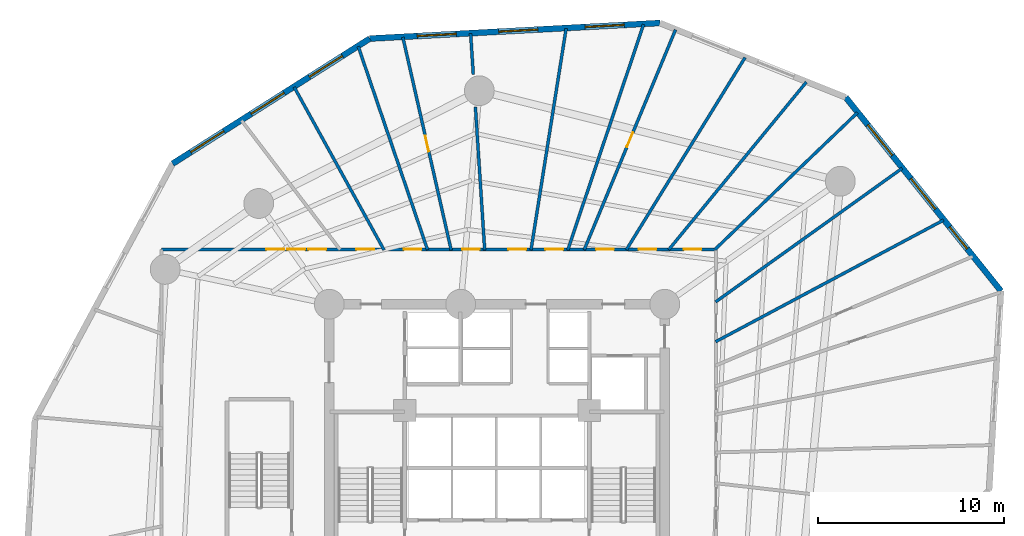
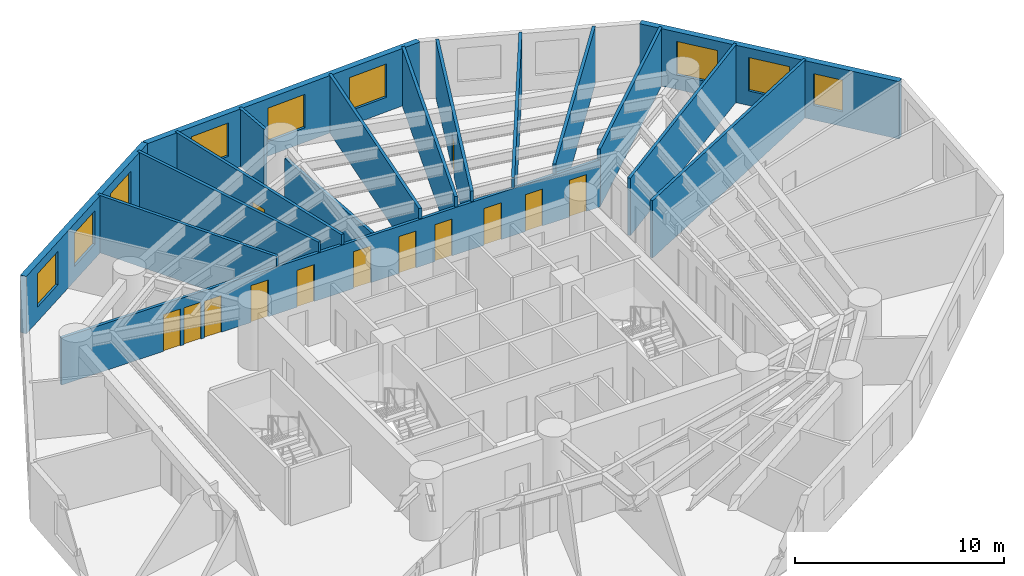
# One storey, part 6 of 8: 17 walls, 13 doors, 9 windows, 22 openings.
"""IFC4 building model written with IfcOpenShell, lengths in metres."""

from ifc_helpers import new_model, si_unit, direction, frame, frame_2d, origin, origin_with_axes, place, context, subcontext, project, spatial, rectangle, extrude, source, transform, mapped, material, layer, layer_set, type_object, element, fill, save


model = new_model("IFC4")

# Units and contexts
model_context = context("Model", 3, precision=1e-05, world=origin(), true_north=direction((0.0, 1.0)))
body_context = subcontext(model_context, "Body", "Model", "MODEL_VIEW")
ifc_project = project(units=[si_unit("LENGTHUNIT", "METRE"), si_unit("AREAUNIT", "SQUARE_METRE"), si_unit("VOLUMEUNIT", "CUBIC_METRE"), si_unit("PLANEANGLEUNIT", "RADIAN"), si_unit("MASSUNIT", "GRAM", prefix="KILO")], contexts=[model_context])

# Site, building, storey
site_placement = place(None, origin())
site = spatial("IfcSite", under=ifc_project, at=site_placement, CompositionType="ELEMENT")
building_placement = place(site_placement, origin())
building = spatial("IfcBuilding", under=site, at=building_placement, Name="Karkom Vertical University and Central Library", CompositionType="ELEMENT")
storey_placement = place(building_placement, frame((0.0, 0.0, 37.300048828125)))
storey = spatial("IfcBuildingStorey", under=building, at=storey_placement, Name="L09", CompositionType="ELEMENT", Elevation=37.300048828125)

# Wall, openings, windows
ifc_material_1 = material(Name="Brick-faced precast concrete C45/55", Category="masonry")
ifc_layer_1 = layer(ifc_material_1, 0.320068359375)
ifc_layer_set_1 = layer_set([ifc_layer_1], Name="Brick-faced precast concrete C45/55")
wall_type_1 = type_object("IfcWallType", Name="ENV-WL-BRK-320", PredefinedType="SOLIDWALL", material=ifc_layer_set_1)
wall_1_placement = place(storey_placement, frame((21.670166015625, 48.9541015625, 0.0), z_axis=(0.0, 0.0, 1.0), x_axis=(-0.844327555448, -0.535827378091, 0.0)))
wall_1 = element("IfcWall", 1, at=wall_1_placement, inside=storey, type_object=wall_type_1, Name="Level 09 Brick-Faced Precast Facade Wall 01", PredefinedType="SOLIDWALL", context=body_context, shape_type="SweptSolid", body=[
    extrude(rectangle(XDim=12.52978515625, YDim=0.320068359375, at=frame_2d((6.264892578125, 0.0))), origin(), (0.0, 0.0, 1.0), 3.349853515625),
])
opening_1_placement = place(wall_1_placement, frame((1.7373046875, 0.0, 0.85009765625)))
opening_1 = element("IfcOpeningElement", 2, at=opening_1_placement, cuts=wall_1, Name="Opening WN-03", PredefinedType="OPENING", context=body_context, shape_type="SweptSolid", body=[
    extrude(rectangle(XDim=2.10009765625, YDim=1.949951171875, at=frame_2d((1.050048828125, 0.97509765625))), frame((0.0, 0.169921875, 0.0), z_axis=(0.0, -1.0, 0.0), x_axis=(1.0, 0.0, 0.0)), (0.0, 0.0, 1.0), 0.340087890625),
])
opening_2_placement = place(wall_1_placement, frame((5.440185546875, 0.0, 0.85009765625)))
opening_2 = element("IfcOpeningElement", 3, at=opening_2_placement, cuts=wall_1, Name="Opening WN-03", PredefinedType="OPENING", context=body_context, shape_type="SweptSolid", body=[
    extrude(rectangle(XDim=2.10009765625, YDim=1.949951171875, at=frame_2d((1.050048828125, 0.97509765625))), frame((0.0, 0.169921875, 0.0), z_axis=(0.0, -1.0, 0.0), x_axis=(1.0, 0.0, 0.0)), (0.0, 0.0, 1.0), 0.340087890625),
])
opening_3_placement = place(wall_1_placement, frame((9.265380859375, 0.0, 0.85009765625)))
opening_3 = element("IfcOpeningElement", 4, at=opening_3_placement, cuts=wall_1, Name="Opening WN-03", PredefinedType="OPENING", context=body_context, shape_type="SweptSolid", body=[
    extrude(rectangle(XDim=2.10009765625, YDim=1.949951171875, at=frame_2d((1.050048828125, 0.97509765625))), frame((0.0, 0.169921875, 0.0), z_axis=(0.0, -1.0, 0.0), x_axis=(1.0, 0.0, 0.0)), (0.0, 0.0, 1.0), 0.340087890625),
])
ifc_material_2 = material(Name="Aluminium thermal-break frame with solar-control IGU", Category="aluminium")
window_type_1 = type_object("IfcWindowType", Name="ENV-WIN-WN-03", PartitioningType="SINGLE_PANEL", PredefinedType="WINDOW", material=ifc_material_2)
shared_shape_1 = source(origin_with_axes(), body_context, "Body", "SweptSolid", [
    extrude(rectangle(XDim=2.10009765625, YDim=1.949951171875, at=frame_2d((1.050048828125, 0.97509765625))), frame((0.0, 0.030029296875, 0.0), z_axis=(0.0, -1.0, 0.0), x_axis=(1.0, 0.0, 0.0)), (0.0, 0.0, 1.0), 0.06005859375),
])
window_1_placement = place(opening_1_placement, origin())
window_1 = element("IfcWindow", 5, at=window_1_placement, inside=storey, type_object=window_type_1, Name="Level 09 Punched Window 1.1", OverallHeight=1.949951171875, OverallWidth=2.10009765625, PartitioningType="SINGLE_PANEL", PredefinedType="WINDOW", context=body_context, shape_type="MappedRepresentation", body=[
    mapped(shared_shape_1, transform((0.0, 0.0, 0.0), scale=1.0)),
])
fill(opening_1, window_1)
window_2_placement = place(opening_2_placement, origin())
window_2 = element("IfcWindow", 6, at=window_2_placement, inside=storey, type_object=window_type_1, Name="Level 09 Punched Window 1.2", OverallHeight=1.949951171875, OverallWidth=2.10009765625, PartitioningType="SINGLE_PANEL", PredefinedType="WINDOW", context=body_context, shape_type="MappedRepresentation", body=[
    mapped(shared_shape_1, transform((0.0, 0.0, 0.0), scale=1.0)),
])
fill(opening_2, window_2)
window_3_placement = place(opening_3_placement, origin())
window_3 = element("IfcWindow", 7, at=window_3_placement, inside=storey, type_object=window_type_1, Name="Level 09 Punched Window 1.3", OverallHeight=1.949951171875, OverallWidth=2.10009765625, PartitioningType="SINGLE_PANEL", PredefinedType="WINDOW", context=body_context, shape_type="MappedRepresentation", body=[
    mapped(shared_shape_1, transform((0.0, 0.0, 0.0), scale=1.0)),
])
fill(opening_3, window_3)

wall_2_placement = place(storey_placement, frame((55.541015625, 35.409912109375, 0.0), z_axis=(0.0, 0.0, 1.0), x_axis=(-0.625441093847, 0.780271387485, 0.0)))
wall_2 = element("IfcWall", 8, at=wall_2_placement, inside=storey, type_object=wall_type_1, Name="Level 09 Brick-Faced Precast Facade Wall 10", PredefinedType="SOLIDWALL", context=body_context, shape_type="SweptSolid", body=[
    extrude(rectangle(XDim=13.32421875, YDim=0.320068359375, at=frame_2d((6.662109375, 0.0))), origin(), (0.0, 0.0, 1.0), 3.349853515625),
])
opening_4_placement = place(wall_2_placement, frame((2.903076171875, 0.0, 0.85009765625)))
opening_4 = element("IfcOpeningElement", 9, at=opening_4_placement, cuts=wall_2, Name="Opening WN-05", PredefinedType="OPENING", context=body_context, shape_type="SweptSolid", body=[
    extrude(rectangle(XDim=1.5, YDim=1.85009765625, at=frame_2d((0.75, 0.925048828125))), frame((0.0, 0.169921875, 0.0), z_axis=(0.0, -1.0, 0.0), x_axis=(1.0, 0.0, 0.0)), (0.0, 0.0, 1.0), 0.340087890625),
])
opening_5_placement = place(wall_2_placement, frame((5.630126953125, 0.0, 0.85009765625)))
opening_5 = element("IfcOpeningElement", 10, at=opening_5_placement, cuts=wall_2, Name="Opening WN-03", PredefinedType="OPENING", context=body_context, shape_type="SweptSolid", body=[
    extrude(rectangle(XDim=2.10009765625, YDim=1.949951171875, at=frame_2d((1.050048828125, 0.97509765625))), frame((0.0, 0.169921875, 0.0), z_axis=(0.0, -1.0, 0.0), x_axis=(1.0, 0.0, 0.0)), (0.0, 0.0, 1.0), 0.340087890625),
])
opening_6_placement = place(wall_2_placement, frame((9.3193359375, 0.0, 0.85009765625)))
opening_6 = element("IfcOpeningElement", 11, at=opening_6_placement, cuts=wall_2, Name="Opening WN-03", PredefinedType="OPENING", context=body_context, shape_type="SweptSolid", body=[
    extrude(rectangle(XDim=2.10009765625, YDim=1.949951171875, at=frame_2d((1.050048828125, 0.97509765625))), frame((0.0, 0.169921875, 0.0), z_axis=(0.0, -1.0, 0.0), x_axis=(1.0, 0.0, 0.0)), (0.0, 0.0, 1.0), 0.340087890625),
])
window_4_placement = place(opening_5_placement, origin())
window_4 = element("IfcWindow", 12, at=window_4_placement, inside=storey, type_object=window_type_1, Name="Level 09 Punched Window 10.2", OverallHeight=1.949951171875, OverallWidth=2.10009765625, PartitioningType="SINGLE_PANEL", PredefinedType="WINDOW", context=body_context, shape_type="MappedRepresentation", body=[
    mapped(shared_shape_1, transform((0.0, 0.0, 0.0), scale=1.0)),
])
fill(opening_5, window_4)
window_5_placement = place(opening_6_placement, origin())
window_5 = element("IfcWindow", 13, at=window_5_placement, inside=storey, type_object=window_type_1, Name="Level 09 Punched Window 10.3", OverallHeight=1.949951171875, OverallWidth=2.10009765625, PartitioningType="SINGLE_PANEL", PredefinedType="WINDOW", context=body_context, shape_type="MappedRepresentation", body=[
    mapped(shared_shape_1, transform((0.0, 0.0, 0.0), scale=1.0)),
])
fill(opening_6, window_5)
window_type_2 = type_object("IfcWindowType", Name="ENV-WIN-WN-05", PartitioningType="SINGLE_PANEL", PredefinedType="WINDOW", material=ifc_material_2)
shared_shape_2 = source(origin_with_axes(), body_context, "Body", "SweptSolid", [
    extrude(rectangle(XDim=1.5, YDim=1.85009765625, at=frame_2d((0.75, 0.925048828125))), frame((0.0, 0.030029296875, 0.0), z_axis=(0.0, -1.0, 0.0), x_axis=(1.0, 0.0, 0.0)), (0.0, 0.0, 1.0), 0.06005859375),
])
window_6_placement = place(opening_4_placement, origin())
window_6 = element("IfcWindow", 14, at=window_6_placement, inside=storey, type_object=window_type_2, Name="Level 09 Punched Window 10.1", OverallHeight=1.85009765625, OverallWidth=1.5, PartitioningType="SINGLE_PANEL", PredefinedType="WINDOW", context=body_context, shape_type="MappedRepresentation", body=[
    mapped(shared_shape_2, transform((0.0, 0.0, 0.0), scale=1.0)),
])
fill(opening_4, window_6)

wall_3_placement = place(storey_placement, frame((37.242919921875, 49.791015625, 0.0), z_axis=(0.0, 0.0, 1.0), x_axis=(-0.998559008623, -0.053664758435, 0.0)))
wall_3 = element("IfcWall", 15, at=wall_3_placement, inside=storey, type_object=wall_type_1, Name="Level 09 Brick-Faced Precast Facade Wall 12", PredefinedType="SOLIDWALL", context=body_context, shape_type="SweptSolid", body=[
    extrude(rectangle(XDim=15.59521484375, YDim=0.320068359375, at=frame_2d((7.797607421875, 0.0))), origin(), (0.0, 0.0, 1.0), 3.349853515625),
])
opening_7_placement = place(wall_3_placement, frame((1.923095703125, 0.0, 0.85009765625)))
opening_7 = element("IfcOpeningElement", 16, at=opening_7_placement, cuts=wall_3, Name="Opening WN-03", PredefinedType="OPENING", context=body_context, shape_type="SweptSolid", body=[
    extrude(rectangle(XDim=2.10009765625, YDim=1.949951171875, at=frame_2d((1.050048828125, 0.97509765625))), frame((0.0, 0.169921875, 0.0), z_axis=(0.0, -1.0, 0.0), x_axis=(1.0, 0.0, 0.0)), (0.0, 0.0, 1.0), 0.340087890625),
])
opening_8_placement = place(wall_3_placement, frame((6.5625, 0.0, 0.85009765625)))
opening_8 = element("IfcOpeningElement", 17, at=opening_8_placement, cuts=wall_3, Name="Opening WN-03", PredefinedType="OPENING", context=body_context, shape_type="SweptSolid", body=[
    extrude(rectangle(XDim=2.10009765625, YDim=1.949951171875, at=frame_2d((1.050048828125, 0.97509765625))), frame((0.0, 0.169921875, 0.0), z_axis=(0.0, -1.0, 0.0), x_axis=(1.0, 0.0, 0.0)), (0.0, 0.0, 1.0), 0.340087890625),
])
opening_9_placement = place(wall_3_placement, frame((10.9423828125, 0.0, 0.85009765625)))
opening_9 = element("IfcOpeningElement", 18, at=opening_9_placement, cuts=wall_3, Name="Opening WN-03", PredefinedType="OPENING", context=body_context, shape_type="SweptSolid", body=[
    extrude(rectangle(XDim=2.10009765625, YDim=1.949951171875, at=frame_2d((1.050048828125, 0.97509765625))), frame((0.0, 0.169921875, 0.0), z_axis=(0.0, -1.0, 0.0), x_axis=(1.0, 0.0, 0.0)), (0.0, 0.0, 1.0), 0.340087890625),
])
window_7_placement = place(opening_7_placement, origin())
window_7 = element("IfcWindow", 19, at=window_7_placement, inside=storey, type_object=window_type_1, Name="Level 09 Punched Window 12.1", OverallHeight=1.949951171875, OverallWidth=2.10009765625, PartitioningType="SINGLE_PANEL", PredefinedType="WINDOW", context=body_context, shape_type="MappedRepresentation", body=[
    mapped(shared_shape_1, transform((0.0, 0.0, 0.0), scale=1.0)),
])
fill(opening_7, window_7)
window_8_placement = place(opening_8_placement, origin())
window_8 = element("IfcWindow", 20, at=window_8_placement, inside=storey, type_object=window_type_1, Name="Level 09 Punched Window 12.2", OverallHeight=1.949951171875, OverallWidth=2.10009765625, PartitioningType="SINGLE_PANEL", PredefinedType="WINDOW", context=body_context, shape_type="MappedRepresentation", body=[
    mapped(shared_shape_1, transform((0.0, 0.0, 0.0), scale=1.0)),
])
fill(opening_8, window_8)
window_9_placement = place(opening_9_placement, origin())
window_9 = element("IfcWindow", 21, at=window_9_placement, inside=storey, type_object=window_type_1, Name="Level 09 Punched Window 12.3", OverallHeight=1.949951171875, OverallWidth=2.10009765625, PartitioningType="SINGLE_PANEL", PredefinedType="WINDOW", context=body_context, shape_type="MappedRepresentation", body=[
    mapped(shared_shape_1, transform((0.0, 0.0, 0.0), scale=1.0)),
])
fill(opening_9, window_9)

# Wall, openings, doors
ifc_material_3 = material(Name="Insulated metal-stud drywall 160mm", Category="gypsum")
ifc_layer_2 = layer(ifc_material_3, 0.159912109375)
ifc_layer_set_2 = layer_set([ifc_layer_2], Name="Insulated metal-stud drywall 160mm")
wall_type_2 = type_object("IfcWallType", Name="INT-WL-COR-160", PredefinedType="PARTITIONING", material=ifc_layer_set_2)
wall_4_placement = place(storey_placement, frame((10.5, 37.64990234375, 0.0), z_axis=(0.0, 0.0, 1.0), x_axis=(1.0, 0.0, 0.0)))
wall_4 = element("IfcWall", 22, at=wall_4_placement, inside=storey, type_object=wall_type_2, Name="Level 09 Interior Partition Wall Level 09-CORW-CW-003", PredefinedType="PARTITIONING", context=body_context, shape_type="SweptSolid", body=[
    extrude(rectangle(XDim=29.75, YDim=0.159912109375, at=frame_2d((14.875, 0.0))), origin(), (0.0, 0.0, 1.0), 2.75),
])
opening_10_placement = place(wall_4_placement, frame((28.020263671875, 0.0, 0.0)))
opening_10 = element("IfcOpeningElement", 23, at=opening_10_placement, cuts=wall_4, Name="Opening D-RM1", PredefinedType="OPENING", context=body_context, shape_type="SweptSolid", body=[
    extrude(rectangle(XDim=0.949951171875, YDim=2.14990234375, at=frame_2d((0.47509765625, 1.074951171875))), frame((0.0, 0.08984375, 0.0), z_axis=(0.0, -1.0, 0.0), x_axis=(1.0, 0.0, 0.0)), (0.0, 0.0, 1.0), 0.179931640625),
])
opening_11_placement = place(wall_4_placement, frame((25.59912109375, 0.0, 0.0)))
opening_11 = element("IfcOpeningElement", 24, at=opening_11_placement, cuts=wall_4, Name="Opening D-RM1", PredefinedType="OPENING", context=body_context, shape_type="SweptSolid", body=[
    extrude(rectangle(XDim=0.949951171875, YDim=2.14990234375, at=frame_2d((0.47509765625, 1.074951171875))), frame((0.0, 0.08984375, 0.0), z_axis=(0.0, -1.0, 0.0), x_axis=(1.0, 0.0, 0.0)), (0.0, 0.0, 1.0), 0.179931640625),
])
opening_12_placement = place(wall_4_placement, frame((23.31884765625, 0.0, 0.0)))
opening_12 = element("IfcOpeningElement", 25, at=opening_12_placement, cuts=wall_4, Name="Opening D-RM1", PredefinedType="OPENING", context=body_context, shape_type="SweptSolid", body=[
    extrude(rectangle(XDim=0.949951171875, YDim=2.14990234375, at=frame_2d((0.47509765625, 1.074951171875))), frame((0.0, 0.08984375, 0.0), z_axis=(0.0, -1.0, 0.0), x_axis=(1.0, 0.0, 0.0)), (0.0, 0.0, 1.0), 0.179931640625),
])
opening_13_placement = place(wall_4_placement, frame((20.597412109375, 0.0, 0.0)))
opening_13 = element("IfcOpeningElement", 26, at=opening_13_placement, cuts=wall_4, Name="Opening D-RM1", PredefinedType="OPENING", context=body_context, shape_type="SweptSolid", body=[
    extrude(rectangle(XDim=0.949951171875, YDim=2.14990234375, at=frame_2d((0.47509765625, 1.074951171875))), frame((0.0, 0.08984375, 0.0), z_axis=(0.0, -1.0, 0.0), x_axis=(1.0, 0.0, 0.0)), (0.0, 0.0, 1.0), 0.179931640625),
])
opening_14_placement = place(wall_4_placement, frame((18.611083984375, 0.0, 0.0)))
opening_14 = element("IfcOpeningElement", 27, at=opening_14_placement, cuts=wall_4, Name="Opening D-RM1", PredefinedType="OPENING", context=body_context, shape_type="SweptSolid", body=[
    extrude(rectangle(XDim=0.949951171875, YDim=2.14990234375, at=frame_2d((0.47509765625, 1.074951171875))), frame((0.0, 0.08984375, 0.0), z_axis=(0.0, -1.0, 0.0), x_axis=(1.0, 0.0, 0.0)), (0.0, 0.0, 1.0), 0.179931640625),
])
opening_15_placement = place(wall_4_placement, frame((16.12255859375, 0.0, 0.0)))
opening_15 = element("IfcOpeningElement", 28, at=opening_15_placement, cuts=wall_4, Name="Opening D-RM1", PredefinedType="OPENING", context=body_context, shape_type="SweptSolid", body=[
    extrude(rectangle(XDim=0.949951171875, YDim=2.14990234375, at=frame_2d((0.47509765625, 1.074951171875))), frame((0.0, 0.08984375, 0.0), z_axis=(0.0, -1.0, 0.0), x_axis=(1.0, 0.0, 0.0)), (0.0, 0.0, 1.0), 0.179931640625),
])
opening_16_placement = place(wall_4_placement, frame((12.99609375, 0.0, 0.0)))
opening_16 = element("IfcOpeningElement", 29, at=opening_16_placement, cuts=wall_4, Name="Opening D-RM1", PredefinedType="OPENING", context=body_context, shape_type="SweptSolid", body=[
    extrude(rectangle(XDim=0.949951171875, YDim=2.14990234375, at=frame_2d((0.47509765625, 1.074951171875))), frame((0.0, 0.08984375, 0.0), z_axis=(0.0, -1.0, 0.0), x_axis=(1.0, 0.0, 0.0)), (0.0, 0.0, 1.0), 0.179931640625),
])
opening_17_placement = place(wall_4_placement, frame((10.4599609375, 0.0, 0.0)))
opening_17 = element("IfcOpeningElement", 30, at=opening_17_placement, cuts=wall_4, Name="Opening D-RM1", PredefinedType="OPENING", context=body_context, shape_type="SweptSolid", body=[
    extrude(rectangle(XDim=0.949951171875, YDim=2.14990234375, at=frame_2d((0.47509765625, 1.074951171875))), frame((0.0, 0.08984375, 0.0), z_axis=(0.0, -1.0, 0.0), x_axis=(1.0, 0.0, 0.0)), (0.0, 0.0, 1.0), 0.179931640625),
])
opening_18_placement = place(wall_4_placement, frame((7.8759765625, 0.0, 0.0)))
opening_18 = element("IfcOpeningElement", 31, at=opening_18_placement, cuts=wall_4, Name="Opening D-RM1", PredefinedType="OPENING", context=body_context, shape_type="SweptSolid", body=[
    extrude(rectangle(XDim=0.949951171875, YDim=2.14990234375, at=frame_2d((0.47509765625, 1.074951171875))), frame((0.0, 0.08984375, 0.0), z_axis=(0.0, -1.0, 0.0), x_axis=(1.0, 0.0, 0.0)), (0.0, 0.0, 1.0), 0.179931640625),
])
opening_19_placement = place(wall_4_placement, frame((6.74755859375, 0.0, 0.0)))
opening_19 = element("IfcOpeningElement", 32, at=opening_19_placement, cuts=wall_4, Name="Opening D-RM1", PredefinedType="OPENING", context=body_context, shape_type="SweptSolid", body=[
    extrude(rectangle(XDim=0.949951171875, YDim=2.14990234375, at=frame_2d((0.47509765625, 1.074951171875))), frame((0.0, 0.08984375, 0.0), z_axis=(0.0, -1.0, 0.0), x_axis=(1.0, 0.0, 0.0)), (0.0, 0.0, 1.0), 0.179931640625),
])
opening_20_placement = place(wall_4_placement, frame((5.62255859375, 0.0, 0.0)))
opening_20 = element("IfcOpeningElement", 33, at=opening_20_placement, cuts=wall_4, Name="Opening D-RM1", PredefinedType="OPENING", context=body_context, shape_type="SweptSolid", body=[
    extrude(rectangle(XDim=0.949951171875, YDim=2.14990234375, at=frame_2d((0.47509765625, 1.074951171875))), frame((0.0, 0.08984375, 0.0), z_axis=(0.0, -1.0, 0.0), x_axis=(1.0, 0.0, 0.0)), (0.0, 0.0, 1.0), 0.179931640625),
])
ifc_material_4 = material(Name="Solid-core oak veneer door", Category="wood")
door_type_1 = type_object("IfcDoorType", Name="INT-DR-RM1", OperationType="NOTDEFINED", PredefinedType="DOOR", material=ifc_material_4)
shared_shape_3 = source(origin_with_axes(), body_context, "Body", "SweptSolid", [
    extrude(rectangle(XDim=0.949951171875, YDim=2.14990234375, at=frame_2d((0.47509765625, 1.074951171875))), frame((0.0, 0.02490234375, 0.0), z_axis=(0.0, -1.0, 0.0), x_axis=(1.0, 0.0, 0.0)), (0.0, 0.0, 1.0), 0.050048828125),
])
door_1_placement = place(opening_10_placement, origin())
door_1 = element("IfcDoor", 34, at=door_1_placement, inside=storey, type_object=door_type_1, Name="Level 09 Room Entry Door 190", OperationType="SINGLE_SWING_RIGHT", OverallHeight=2.14990234375, OverallWidth=0.949951171875, PredefinedType="DOOR", context=body_context, shape_type="MappedRepresentation", body=[
    mapped(shared_shape_3, transform((0.0, 0.0, 0.0), scale=1.0)),
])
fill(opening_10, door_1)
door_2_placement = place(opening_11_placement, origin())
door_2 = element("IfcDoor", 35, at=door_2_placement, inside=storey, type_object=door_type_1, Name="Level 09 Room Entry Door 200", OperationType="SINGLE_SWING_LEFT", OverallHeight=2.14990234375, OverallWidth=0.949951171875, PredefinedType="DOOR", context=body_context, shape_type="MappedRepresentation", body=[
    mapped(shared_shape_3, transform((0.0, 0.0, 0.0), scale=1.0)),
])
fill(opening_11, door_2)
door_3_placement = place(opening_12_placement, origin())
door_3 = element("IfcDoor", 36, at=door_3_placement, inside=storey, type_object=door_type_1, Name="Level 09 Room Entry Door 210", OperationType="SINGLE_SWING_RIGHT", OverallHeight=2.14990234375, OverallWidth=0.949951171875, PredefinedType="DOOR", context=body_context, shape_type="MappedRepresentation", body=[
    mapped(shared_shape_3, transform((0.0, 0.0, 0.0), scale=1.0)),
])
fill(opening_12, door_3)
door_4_placement = place(opening_13_placement, origin())
door_4 = element("IfcDoor", 37, at=door_4_placement, inside=storey, type_object=door_type_1, Name="Level 09 Room Entry Door 220", OperationType="SINGLE_SWING_LEFT", OverallHeight=2.14990234375, OverallWidth=0.949951171875, PredefinedType="DOOR", context=body_context, shape_type="MappedRepresentation", body=[
    mapped(shared_shape_3, transform((0.0, 0.0, 0.0), scale=1.0)),
])
fill(opening_13, door_4)
door_5_placement = place(opening_14_placement, origin())
door_5 = element("IfcDoor", 38, at=door_5_placement, inside=storey, type_object=door_type_1, Name="Level 09 Room Entry Door 230", OperationType="SINGLE_SWING_RIGHT", OverallHeight=2.14990234375, OverallWidth=0.949951171875, PredefinedType="DOOR", context=body_context, shape_type="MappedRepresentation", body=[
    mapped(shared_shape_3, transform((0.0, 0.0, 0.0), scale=1.0)),
])
fill(opening_14, door_5)
door_6_placement = place(opening_15_placement, origin())
door_6 = element("IfcDoor", 39, at=door_6_placement, inside=storey, type_object=door_type_1, Name="Level 09 Room Entry Door 240", OperationType="SINGLE_SWING_LEFT", OverallHeight=2.14990234375, OverallWidth=0.949951171875, PredefinedType="DOOR", context=body_context, shape_type="MappedRepresentation", body=[
    mapped(shared_shape_3, transform((0.0, 0.0, 0.0), scale=1.0)),
])
fill(opening_15, door_6)
door_7_placement = place(opening_16_placement, origin())
door_7 = element("IfcDoor", 40, at=door_7_placement, inside=storey, type_object=door_type_1, Name="Level 09 Room Entry Door 250", OperationType="SINGLE_SWING_RIGHT", OverallHeight=2.14990234375, OverallWidth=0.949951171875, PredefinedType="DOOR", context=body_context, shape_type="MappedRepresentation", body=[
    mapped(shared_shape_3, transform((0.0, 0.0, 0.0), scale=1.0)),
])
fill(opening_16, door_7)
door_8_placement = place(opening_17_placement, origin())
door_8 = element("IfcDoor", 41, at=door_8_placement, inside=storey, type_object=door_type_1, Name="Level 09 Room Entry Door 260", OperationType="SINGLE_SWING_LEFT", OverallHeight=2.14990234375, OverallWidth=0.949951171875, PredefinedType="DOOR", context=body_context, shape_type="MappedRepresentation", body=[
    mapped(shared_shape_3, transform((0.0, 0.0, 0.0), scale=1.0)),
])
fill(opening_17, door_8)
door_9_placement = place(opening_18_placement, origin())
door_9 = element("IfcDoor", 42, at=door_9_placement, inside=storey, type_object=door_type_1, Name="Level 09 Room Entry Door 270", OperationType="SINGLE_SWING_RIGHT", OverallHeight=2.14990234375, OverallWidth=0.949951171875, PredefinedType="DOOR", context=body_context, shape_type="MappedRepresentation", body=[
    mapped(shared_shape_3, transform((0.0, 0.0, 0.0), scale=1.0)),
])
fill(opening_18, door_9)
door_10_placement = place(opening_19_placement, origin())
door_10 = element("IfcDoor", 43, at=door_10_placement, inside=storey, type_object=door_type_1, Name="Level 09 Room Entry Door 280", OperationType="SINGLE_SWING_LEFT", OverallHeight=2.14990234375, OverallWidth=0.949951171875, PredefinedType="DOOR", context=body_context, shape_type="MappedRepresentation", body=[
    mapped(shared_shape_3, transform((0.0, 0.0, 0.0), scale=1.0)),
])
fill(opening_19, door_10)
door_11_placement = place(opening_20_placement, origin())
door_11 = element("IfcDoor", 44, at=door_11_placement, inside=storey, type_object=door_type_1, Name="Level 09 Room Entry Door 290", OperationType="SINGLE_SWING_RIGHT", OverallHeight=2.14990234375, OverallWidth=0.949951171875, PredefinedType="DOOR", context=body_context, shape_type="MappedRepresentation", body=[
    mapped(shared_shape_3, transform((0.0, 0.0, 0.0), scale=1.0)),
])
fill(opening_20, door_11)

# Wall
wall_5_placement = place(storey_placement, frame((40.223388671875, 32.686767578125, 0.0), z_axis=(0.0, 0.0, 1.0), x_axis=(0.882279339372, 0.470726212695, 0.0)))
element("IfcWall", 45, at=wall_5_placement, inside=storey, type_object=wall_type_2, Name="Level 09 Interior Partition Wall Level 09-PW-022", PredefinedType="PARTITIONING", context=body_context, shape_type="SweptSolid", body=[
    extrude(rectangle(XDim=13.866943359375, YDim=0.159912109375, at=frame_2d((6.93359375, 0.0))), origin(), (0.0, 0.0, 1.0), 3.349853515625),
])

# Wall, opening, door
wall_6_placement = place(storey_placement, frame((33.1787109375, 37.622314453125, 0.0), z_axis=(0.0, 0.0, 1.0), x_axis=(0.383174797222, 0.923675849405, 0.0)))
wall_6 = element("IfcWall", 46, at=wall_6_placement, inside=storey, type_object=wall_type_2, Name="Level 09 Interior Partition Wall Level 09-PW-027", PredefinedType="PARTITIONING", context=body_context, shape_type="SweptSolid", body=[
    extrude(rectangle(XDim=12.783935546875, YDim=0.159912109375, at=frame_2d((6.39208984375, 0.0))), origin(), (0.0, 0.0, 1.0), 3.349853515625),
])
opening_21_placement = place(wall_6_placement, frame((5.9619140625, 0.0, 0.0)))
opening_21 = element("IfcOpeningElement", 47, at=opening_21_placement, cuts=wall_6, Name="Opening FD-BTH2", PredefinedType="OPENING", context=body_context, shape_type="SweptSolid", body=[
    extrude(rectangle(XDim=0.860107421875, YDim=2.0400390625, at=frame_2d((0.43017578125, 1.02001953125))), frame((0.0, 0.08984375, 0.0), z_axis=(0.0, -1.0, 0.0), x_axis=(1.0, 0.0, 0.0)), (0.0, 0.0, 1.0), 0.179931640625),
])
ifc_material_5 = material(Name="Fire-rated moisture-resistant oak door", Category="wood")
door_type_2 = type_object("IfcDoorType", Name="INT-DR-FBTH2", OperationType="NOTDEFINED", PredefinedType="DOOR", material=ifc_material_5)
shared_shape_4 = source(origin_with_axes(), body_context, "Body", "SweptSolid", [
    extrude(rectangle(XDim=0.860107421875, YDim=2.0400390625, at=frame_2d((0.43017578125, 1.02001953125))), frame((0.0, 0.02490234375, 0.0), z_axis=(0.0, -1.0, 0.0), x_axis=(1.0, 0.0, 0.0)), (0.0, 0.0, 1.0), 0.050048828125),
])
door_12_placement = place(opening_21_placement, origin())
door_12 = element("IfcDoor", 48, at=door_12_placement, inside=storey, type_object=door_type_2, Name="Level 09 Academic Collaborative Study Lounge Entry Door", OperationType="SINGLE_SWING_RIGHT", OverallHeight=2.0400390625, OverallWidth=0.860107421875, PredefinedType="DOOR", context=body_context, shape_type="MappedRepresentation", body=[
    mapped(shared_shape_4, transform((0.0, 0.0, 0.0), scale=1.0)),
])
fill(opening_21, door_12)

# Walls
wall_7_placement = place(storey_placement, frame((32.295166015625, 37.607421875, 0.0), z_axis=(0.0, 0.0, 1.0), x_axis=(0.318503519033, 0.947921678391, 0.0)))
element("IfcWall", 49, at=wall_7_placement, inside=storey, type_object=wall_type_2, Name="Level 09 Interior Partition Wall Level 09-PW-028", PredefinedType="PARTITIONING", context=body_context, shape_type="SweptSolid", body=[
    extrude(rectangle(XDim=12.771728515625, YDim=0.159912109375, at=frame_2d((6.3857421875, 0.0))), origin(), (0.0, 0.0, 1.0), 3.349853515625),
])
wall_8_placement = place(storey_placement, frame((40.2255859375, 34.82421875, 0.0), z_axis=(0.0, 0.0, 1.0), x_axis=(0.812994419256, 0.582271478142, 0.0)))
element("IfcWall", 50, at=wall_8_placement, inside=storey, type_object=wall_type_2, Name="Level 09 Interior Partition Wall Level 09-PW-023", PredefinedType="PARTITIONING", context=body_context, shape_type="SweptSolid", body=[
    extrude(rectangle(XDim=12.3095703125, YDim=0.159912109375, at=frame_2d((6.15478515625, 0.0))), origin(), (0.0, 0.0, 1.0), 3.349853515625),
])
wall_9_placement = place(storey_placement, frame((35.440185546875, 37.62451171875, 0.0), z_axis=(0.0, 0.0, 1.0), x_axis=(0.525410543511, 0.850848847192, 0.0)))
element("IfcWall", 51, at=wall_9_placement, inside=storey, type_object=wall_type_2, Name="Level 09 Interior Partition Wall Level 09-PW-026", PredefinedType="PARTITIONING", context=body_context, shape_type="SweptSolid", body=[
    extrude(rectangle(XDim=12.120849609375, YDim=0.159912109375, at=frame_2d((6.060546875, 0.0))), origin(), (0.0, 0.0, 1.0), 3.349853515625),
])
wall_10_placement = place(storey_placement, frame((30.32470703125, 37.620361328125, 0.0), z_axis=(0.0, 0.0, 1.0), x_axis=(0.15665497894, 0.98765338939, 0.0)))
element("IfcWall", 52, at=wall_10_placement, inside=storey, type_object=wall_type_2, Name="Level 09 Interior Partition Wall Level 09-PW-029", PredefinedType="PARTITIONING", context=body_context, shape_type="SweptSolid", body=[
    extrude(rectangle(XDim=12.02197265625, YDim=0.159912109375, at=frame_2d((6.010986328125, 0.0))), origin(), (0.0, 0.0, 1.0), 3.349853515625),
])

# Wall, opening, door
wall_11_placement = place(storey_placement, frame((26.0400390625, 37.606201171875, 0.0), z_axis=(0.0, 0.0, 1.0), x_axis=(-0.221390368605, 0.975185266854, 0.0)))
wall_11 = element("IfcWall", 53, at=wall_11_placement, inside=storey, type_object=wall_type_2, Name="Level 09 Interior Partition Wall Level 09-PW-032", PredefinedType="PARTITIONING", context=body_context, shape_type="SweptSolid", body=[
    extrude(rectangle(XDim=11.7080078125, YDim=0.159912109375, at=frame_2d((5.85400390625, 0.0))), origin(), (0.0, 0.0, 1.0), 3.349853515625),
])
opening_22_placement = place(wall_11_placement, frame((5.424072265625, 0.0, 0.0)))
opening_22 = element("IfcOpeningElement", 54, at=opening_22_placement, cuts=wall_11, Name="Opening FD-BTH2", PredefinedType="OPENING", context=body_context, shape_type="SweptSolid", body=[
    extrude(rectangle(XDim=0.860107421875, YDim=2.0400390625, at=frame_2d((0.43017578125, 1.02001953125))), frame((0.0, 0.08984375, 0.0), z_axis=(0.0, -1.0, 0.0), x_axis=(1.0, 0.0, 0.0)), (0.0, 0.0, 1.0), 0.179931640625),
])
door_13_placement = place(opening_22_placement, origin())
door_13 = element("IfcDoor", 55, at=door_13_placement, inside=storey, type_object=door_type_2, Name="Level 09 Academic Collaborative Study Lounge Entry Door", OperationType="SINGLE_SWING_LEFT", OverallHeight=2.0400390625, OverallWidth=0.860107421875, PredefinedType="DOOR", context=body_context, shape_type="MappedRepresentation", body=[
    mapped(shared_shape_4, transform((0.0, 0.0, 0.0), scale=1.0)),
])
fill(opening_22, door_13)

# Walls
wall_12_placement = place(storey_placement, frame((37.713134765625, 37.626708984375, 0.0), z_axis=(0.0, 0.0, 1.0), x_axis=(0.634551933173, 0.772880226236, 0.0)))
element("IfcWall", 56, at=wall_12_placement, inside=storey, type_object=wall_type_2, Name="Level 09 Interior Partition Wall Level 09-PW-025", PredefinedType="PARTITIONING", context=body_context, shape_type="SweptSolid", body=[
    extrude(rectangle(XDim=11.63623046875, YDim=0.159912109375, at=frame_2d((5.818115234375, 0.0))), origin(), (0.0, 0.0, 1.0), 3.349853515625),
])
wall_13_placement = place(storey_placement, frame((24.7724609375, 37.62158203125, 0.0), z_axis=(0.0, 0.0, 1.0), x_axis=(-0.322638562771, 0.946522243697, 0.0)))
element("IfcWall", 57, at=wall_13_placement, inside=storey, type_object=wall_type_2, Name="Level 09 Interior Partition Wall Level 09-PW-033", PredefinedType="PARTITIONING", context=body_context, shape_type="SweptSolid", body=[
    extrude(rectangle(XDim=11.526123046875, YDim=0.159912109375, at=frame_2d((5.76318359375, 0.0))), origin(), (0.0, 0.0, 1.0), 3.349853515625),
])
wall_14_placement = place(storey_placement, frame((40.180908203125, 37.629150390625, 0.0), z_axis=(0.0, 0.0, 1.0), x_axis=(0.721426849922, 0.692490649909, 0.0)))
element("IfcWall", 58, at=wall_14_placement, inside=storey, type_object=wall_type_2, Name="Level 09 Interior Partition Wall Level 09-PW-024", PredefinedType="PARTITIONING", context=body_context, shape_type="SweptSolid", body=[
    extrude(rectangle(XDim=10.614013671875, YDim=0.159912109375, at=frame_2d((5.30712890625, 0.0))), origin(), (0.0, 0.0, 1.0), 3.349853515625),
])
wall_15_placement = place(storey_placement, frame((22.43896484375, 37.610595703125, 0.0), z_axis=(0.0, 0.0, 1.0), x_axis=(-0.483059887687, 0.875587314268, 0.0)))
element("IfcWall", 59, at=wall_15_placement, inside=storey, type_object=wall_type_2, Name="Level 09 Interior Partition Wall Level 09-PW-034", PredefinedType="PARTITIONING", context=body_context, shape_type="SweptSolid", body=[
    extrude(rectangle(XDim=9.983154296875, YDim=0.159912109375, at=frame_2d((4.99169921875, 0.0))), origin(), (0.0, 0.0, 1.0), 3.349853515625),
])
wall_16_placement = place(storey_placement, frame((27.8388671875, 37.60498046875, 0.0), z_axis=(0.0, 0.0, 1.0), x_axis=(-0.064822006833, 0.997896842078, 0.0)))
element("IfcWall", 60, at=wall_16_placement, inside=storey, type_object=wall_type_2, Name="Level 09 Interior Partition Wall Level 09-PW-030", PredefinedType="PARTITIONING", context=body_context, shape_type="SweptSolid", body=[
    extrude(rectangle(XDim=7.68701171875, YDim=0.159912109375, at=frame_2d((3.843505859375, 0.0))), origin(), (0.0, 0.0, 1.0), 2.699951171875),
])
wall_17_placement = place(storey_placement, frame((27.226318359375, 47.035888671875, 0.0), z_axis=(0.0, 0.0, 1.0), x_axis=(-0.064919770094, 0.997890486702, 0.0)))
element("IfcWall", 61, at=wall_17_placement, inside=storey, type_object=wall_type_2, Name="Level 09 Interior Partition Wall Level 09-PW-031", PredefinedType="PARTITIONING", context=body_context, shape_type="SweptSolid", body=[
    extrude(rectangle(XDim=2.188720703125, YDim=0.159912109375, at=frame_2d((1.09423828125, 0.0))), origin(), (0.0, 0.0, 1.0), 3.349853515625),
])

save(model, "model.ifc")
